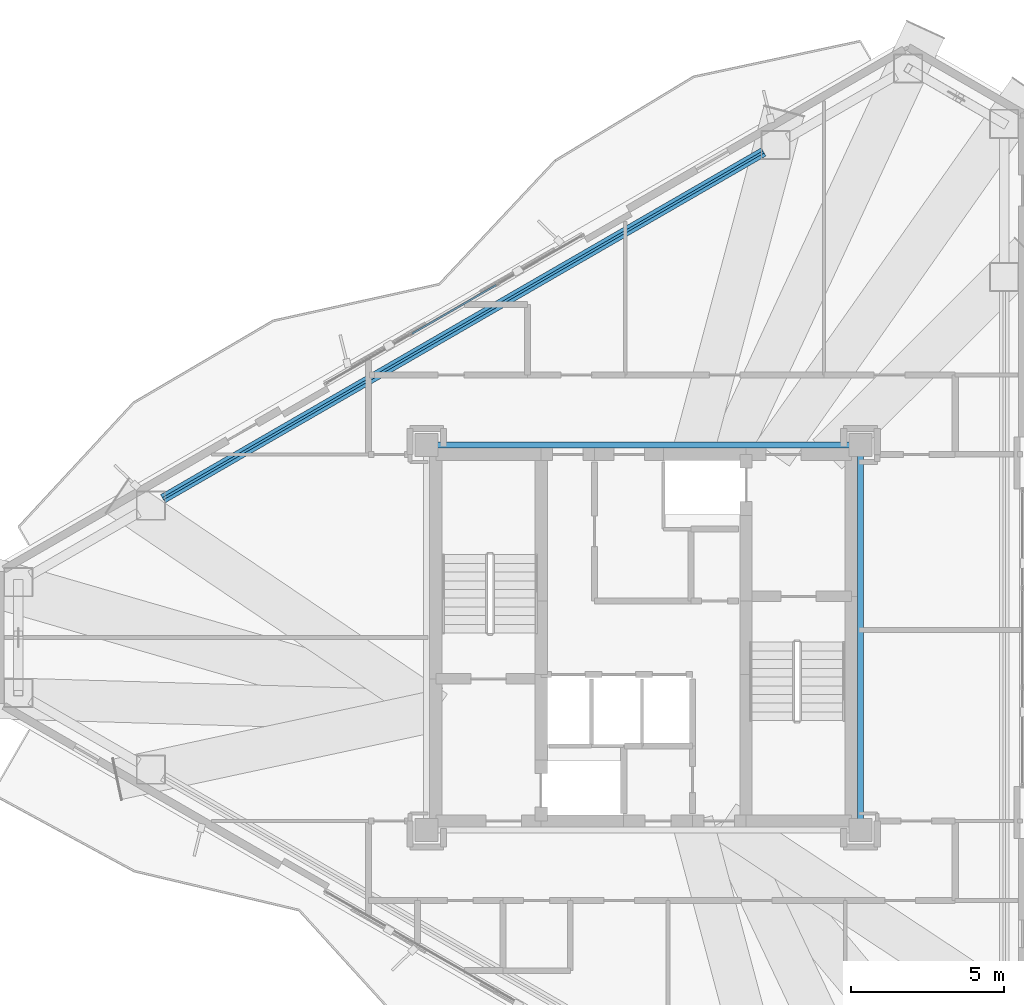
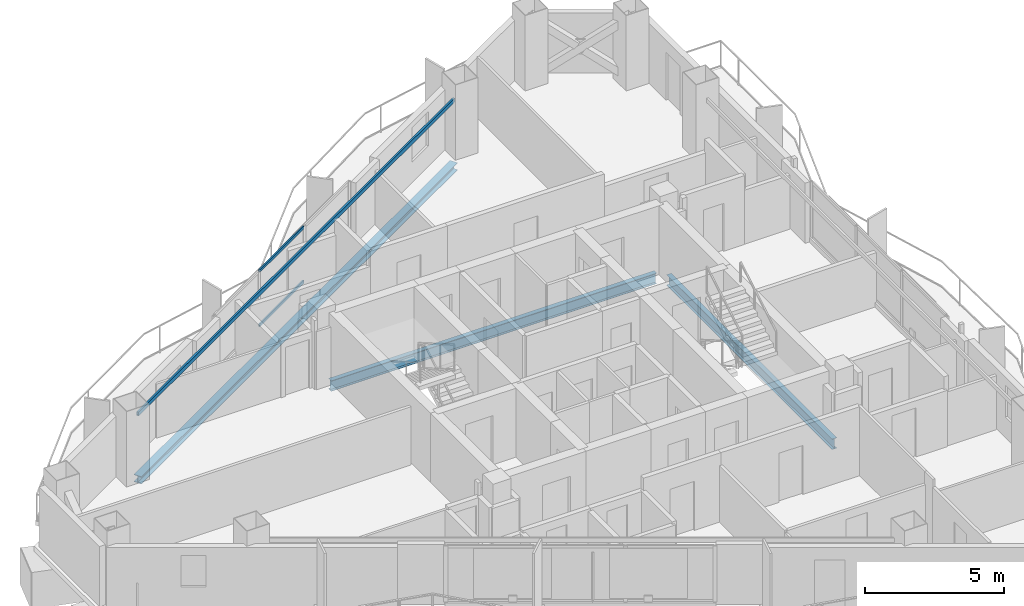
# One storey, part 9 of 22: 4 beams, 2 members, 1 element without a shape of its own.
"""IFC4 building model written with IfcOpenShell, lengths in metres."""

from ifc_helpers import new_model, si_unit, direction, frame, origin, origin_2d, place, context, subcontext, project, spatial, hollow_rectangle, i_section, extrude, material, layer, layer_set, material_profile, profile_set, type_object, element, aggregate, save


model = new_model("IFC4")

# Units and contexts
model_context = context("Model", 3, precision=1e-05, world=origin(), true_north=direction((0.0, 1.0)))
body_context = subcontext(model_context, "Body", "Model", "MODEL_VIEW")
ifc_project = project(units=[si_unit("LENGTHUNIT", "METRE"), si_unit("AREAUNIT", "SQUARE_METRE"), si_unit("VOLUMEUNIT", "CUBIC_METRE"), si_unit("PLANEANGLEUNIT", "RADIAN"), si_unit("MASSUNIT", "GRAM", prefix="KILO")], contexts=[model_context])

# Site, building, storey
site_placement = place(None, origin())
site = spatial("IfcSite", under=ifc_project, at=site_placement, CompositionType="ELEMENT")
building_placement = place(site_placement, origin())
building = spatial("IfcBuilding", under=site, at=building_placement, Name="Mersakhor Tower and Convention Hall", CompositionType="ELEMENT")
storey_placement = place(building_placement, frame((0.0, 0.0, 167.39990234375)))
storey = spatial("IfcBuildingStorey", under=building, at=storey_placement, Name="L46", CompositionType="ELEMENT", Elevation=167.39990234375)

# Beams
ifc_material_1 = material(Name="Steel S355", Category="steel")
ifc_material_profile_1 = material_profile(ifc_material_1, i_section(OverallWidth=0.19140625, OverallDepth=0.4599609375, WebThickness=0.010009765625, FlangeThickness=0.01611328125, at=origin_2d()), Name="UB 457x191x82")
ifc_profile_set_1 = profile_set([ifc_material_profile_1], Name="Steel S355")
beam_type_1 = type_object("IfcBeamType", Name="BM-FB-457", PredefinedType="BEAM", material=ifc_profile_set_1)
beam_1_placement = place(storey_placement, frame((22.2548828125, 33.050048828125, -0.4599609375), z_axis=(1.0, 0.0, 0.0), x_axis=(0.0, 1.0, 0.0)))
element("IfcBeam", 1, at=beam_1_placement, inside=storey, type_object=beam_type_1, Name="L46 Core Ring Tie Beam CRB-2", PredefinedType="BEAM", context=body_context, shape_type="SweptSolid", body=[
    extrude(i_section(OverallWidth=0.19140625, OverallDepth=0.4599609375, WebThickness=0.010009765625, FlangeThickness=0.01611328125, at=origin_2d()), origin(), (0.0, 0.0, 1.0), 13.490234375),
])
beam_2_placement = place(storey_placement, frame((36.10009765625, 32.695068359375, -0.4599609375), z_axis=(0.0, -1.0, 0.0), x_axis=(1.0, 0.0, 0.0)))
element("IfcBeam", 2, at=beam_2_placement, inside=storey, type_object=beam_type_1, Name="L46 Core Ring Tie Beam CRB-3", PredefinedType="BEAM", context=body_context, shape_type="SweptSolid", body=[
    extrude(i_section(OverallWidth=0.19140625, OverallDepth=0.4599609375, WebThickness=0.010009765625, FlangeThickness=0.01611328125, at=origin_2d()), origin(), (0.0, 0.0, 1.0), 11.89013671875),
])
ifc_material_2 = material(Name="Steel S355", Category="steel")
ifc_material_profile_2 = material_profile(ifc_material_2, hollow_rectangle(XDim=0.080078125, YDim=0.179931640625, WallThickness=0.008056640625, at=origin_2d()), Name="RHS 180x80x8")
ifc_profile_set_2 = profile_set([ifc_material_profile_2], Name="Steel S355")
beam_type_2 = type_object("IfcBeamType", Name="BM-GRT-RHS180", PredefinedType="USERDEFINED", material=ifc_profile_set_2)
beam_3_placement = place(storey_placement, frame((13.26806640625, 31.297119140625, 2.47998046875), z_axis=(0.86602942013, 0.499993043422, 0.0), x_axis=(-0.499993043422, 0.86602942013, 0.0)))
element("IfcBeam", 3, at=beam_3_placement, inside=storey, type_object=beam_type_2, Name="L46 Facade Support Girt GRT-F1", ObjectType="GIRT", PredefinedType="USERDEFINED", context=body_context, shape_type="SweptSolid", body=[
    extrude(hollow_rectangle(XDim=0.080078125, YDim=0.179931640625, WallThickness=0.008056640625, at=origin_2d()), origin(), (0.0, 0.0, 1.0), 22.701416015625),
])
ifc_material_3 = material(Name="Steel S355", Category="steel")
ifc_material_profile_3 = material_profile(ifc_material_3, i_section(OverallWidth=0.30908203125, OverallDepth=0.320556640625, WebThickness=0.013916015625, FlangeThickness=0.021728515625, at=origin_2d()), Name="UC 305x305x137")
ifc_profile_set_3 = profile_set([ifc_material_profile_3], Name="Steel S355")
beam_type_3 = type_object("IfcBeamType", Name="BM-SPD-UC305", PredefinedType="SPANDREL", material=ifc_profile_set_3)
beam_4_placement = place(storey_placement, frame((13.26806640625, 31.297119140625, -0.39013671875), z_axis=(0.86602942013, 0.499993043422, 0.0), x_axis=(-0.499993043422, 0.86602942013, 0.0)))
element("IfcBeam", 4, at=beam_4_placement, inside=storey, type_object=beam_type_3, Name="L46 Perimeter Spandrel Beam SPB-02", PredefinedType="SPANDREL", context=body_context, shape_type="SweptSolid", body=[
    extrude(i_section(OverallWidth=0.30908203125, OverallDepth=0.320556640625, WebThickness=0.013916015625, FlangeThickness=0.021728515625, at=origin_2d()), origin(), (0.0, 0.0, 1.0), 22.701416015625),
])

# Curtain wall, members
ifc_material_4 = material(Name="Dark solar low-E aluminium curtain wall", Category="aluminium")
ifc_layer = layer(ifc_material_4, 0.169921875)
ifc_layer_set = layer_set([ifc_layer], Name="Dark solar low-E aluminium curtain wall")
curtain_wall_type = type_object("IfcCurtainWallType", Name="CW-SYS-02", PredefinedType="USERDEFINED", material=ifc_layer_set)
curtain_wall_placement = place(storey_placement, origin())
curtain_wall = element("IfcCurtainWall", 5, at=curtain_wall_placement, inside=storey, type_object=curtain_wall_type, Name="L46 Dark-Glass Curtain Wall F1-B2", ObjectType="CURTAIN WALL", PredefinedType="USERDEFINED")
ifc_material_5 = material(Name="Anodised aluminium EN AW-6063 T6", Category="aluminium")
ifc_material_profile_4 = material_profile(ifc_material_5, hollow_rectangle(XDim=0.06005859375, YDim=0.1201171875, WallThickness=0.0048828125, at=origin_2d()), Name="RHS 120x60x5")
ifc_profile_set_4 = profile_set([ifc_material_profile_4], Name="Anodised aluminium EN AW-6063 T6")
member_type = type_object("IfcMemberType", Name="CWT-120x60", PredefinedType="USERDEFINED", material=ifc_profile_set_4)
member_1_placement = place(storey_placement, frame((21.42431640625, 36.698974609375, 0.22998046875), z_axis=(0.866042062017, 0.499971145986, 0.0), x_axis=(-0.499971145986, 0.866042062017, 0.0)))
member_1 = element("IfcMember", 6, at=member_1_placement, type_object=member_type, Name="CW-02 transom 2.1", ObjectType="TRANSOM", PredefinedType="USERDEFINED", context=body_context, shape_type="SweptSolid", body=[
    extrude(hollow_rectangle(XDim=0.06005859375, YDim=0.1201171875, WallThickness=0.0048828125, at=origin_2d()), origin(), (0.0, 0.0, 1.0), 3.172607421875),
])
member_2_placement = place(storey_placement, frame((21.42431640625, 36.698974609375, 2.610107421875), z_axis=(0.866042062017, 0.499971145986, 0.0), x_axis=(-0.499971145986, 0.866042062017, 0.0)))
member_2 = element("IfcMember", 7, at=member_2_placement, type_object=member_type, Name="CW-02 transom 2.2", ObjectType="TRANSOM", PredefinedType="USERDEFINED", context=body_context, shape_type="SweptSolid", body=[
    extrude(hollow_rectangle(XDim=0.06005859375, YDim=0.1201171875, WallThickness=0.0048828125, at=origin_2d()), origin(), (0.0, 0.0, 1.0), 3.172607421875),
])
aggregate(curtain_wall, [member_1, member_2])

save(model, "model.ifc")
